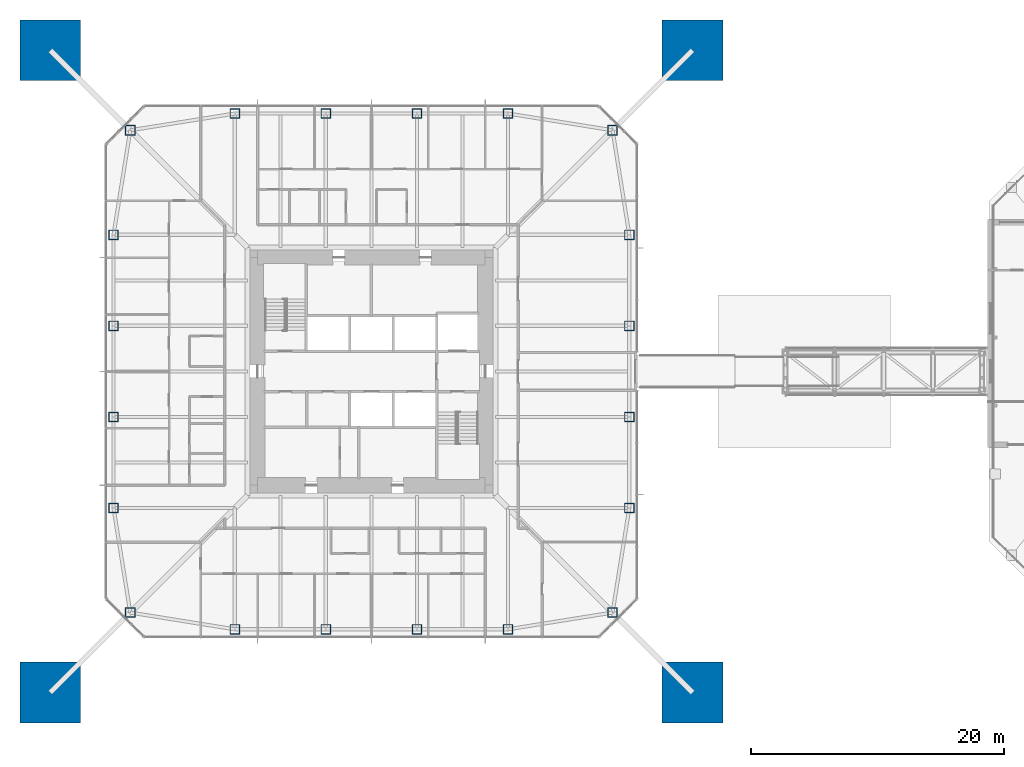
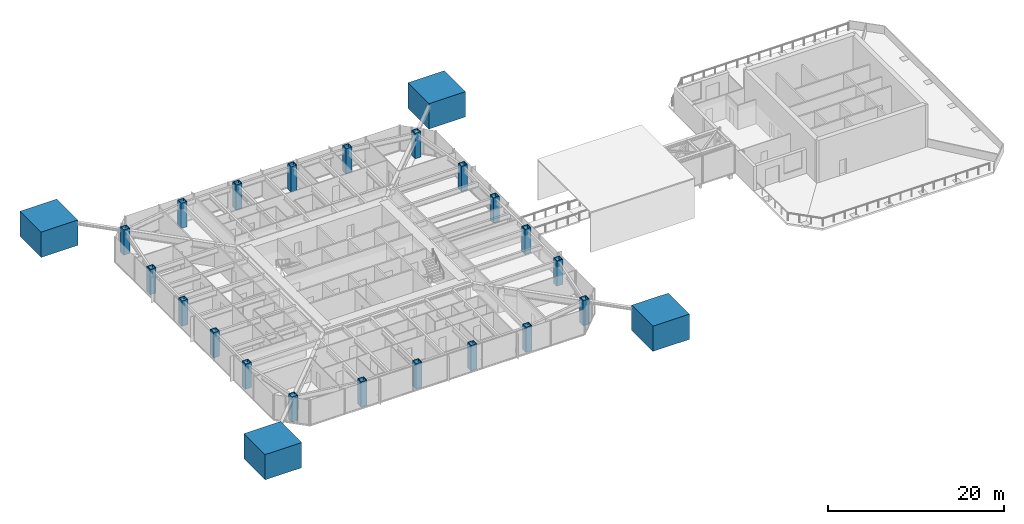
# One storey, part 1 of 23: 24 columns.
"""IFC4 building model written with IfcOpenShell, lengths in metres."""

from ifc_helpers import new_model, si_unit, direction, frame, origin, origin_2d, place, context, subcontext, project, spatial, rectangle, hollow_rectangle, i_section, extrude, material, material_profile, profile_set, type_object, element, save


model = new_model("IFC4")

# Units and contexts
model_context = context("Model", 3, precision=1e-05, world=origin(), true_north=direction((0.0, 1.0)))
body_context = subcontext(model_context, "Body", "Model", "MODEL_VIEW")
ifc_project = project(units=[si_unit("LENGTHUNIT", "METRE"), si_unit("AREAUNIT", "SQUARE_METRE"), si_unit("VOLUMEUNIT", "CUBIC_METRE"), si_unit("PLANEANGLEUNIT", "RADIAN"), si_unit("MASSUNIT", "GRAM", prefix="KILO")], contexts=[model_context])

# Site, building, storey
site_placement = place(None, origin())
site = spatial("IfcSite", under=ifc_project, at=site_placement, CompositionType="ELEMENT")
building_placement = place(site_placement, origin())
building = spatial("IfcBuilding", under=site, at=building_placement, Name="Iwan Alto Co-Living Towers", CompositionType="ELEMENT")
storey_placement = place(building_placement, frame((0.0, 0.0, 129.5)))
storey = spatial("IfcBuildingStorey", under=building, at=storey_placement, Name="L35", CompositionType="ELEMENT", Elevation=129.5)

# Columns
ifc_material_1 = material(Name="Concrete f'c 70 MPa", Category="concrete")
ifc_material_profile_1 = material_profile(ifc_material_1, rectangle(XDim=4.800048828125, YDim=4.800048828125, at=origin_2d()), Name="RC 4800X4800")
ifc_profile_set_1 = profile_set([ifc_material_profile_1], Name="Concrete f'c 70 MPa")
column_type_1 = type_object("IfcColumnType", Name="T1 MEGA COLUMN RC 4800X4800", PredefinedType="COLUMN", material=ifc_profile_set_1)
for number, where, z_axis, x_axis, name in (
    (1, (-25.39990234375, -25.39990234375, 0.0), (0.0, 0.0, 1.0), (1.0, 0.0, 0.0), "T1 mega column SW L35"),
    (2, (25.39990234375, -25.39990234375, 0.0), (0.0, 0.0, 1.0), (1.0, 0.0, 0.0), "T1 mega column SE L35"),
    (3, (25.39990234375, 25.39990234375, 0.0), (0.0, 0.0, 1.0), (1.0, 0.0, 0.0), "T1 mega column NE L35"),
    (4, (-25.39990234375, 25.39990234375, 0.0), (0.0, 0.0, 1.0), (1.0, 0.0, 0.0), "T1 mega column NW L35"),
):
    element("IfcColumn", number, at=place(storey_placement, frame(where, z_axis=z_axis, x_axis=x_axis)), inside=storey, type_object=column_type_1, Name=name, PredefinedType="COLUMN", context=body_context, shape_type="SweptSolid", body=[
        extrude(rectangle(XDim=4.800048828125, YDim=4.800048828125, at=origin_2d()), origin(), (0.0, 0.0, 1.0), 3.5),
        extrude(i_section(OverallWidth=0.4775390625, OverallDepth=0.599365234375, WebThickness=0.10009765625, FlangeThickness=0.139892578125, at=origin_2d()), origin(), (0.0, 0.0, 1.0), 3.5),
    ])
ifc_material_2 = material(Name="Steel ASTM A572 Gr 50", Category="steel")
ifc_material_profile_2 = material_profile(ifc_material_2, hollow_rectangle(XDim=0.800048828125, YDim=0.800048828125, WallThickness=0.070068359375, at=origin_2d()), Name="BOX 800X800X70")
ifc_profile_set_2 = profile_set([ifc_material_profile_2], Name="Steel ASTM A572 Gr 50")
column_type_2 = type_object("IfcColumnType", Name="T1 RING COLUMN BOX 800X800X70", PredefinedType="COLUMN", material=ifc_profile_set_2)
for number, where, z_axis, x_axis, name in (
    (5, (-19.07568359375, -19.07568359375, 0.0), (0.0, 0.0, 1.0), (1.0, 0.0, 0.0), "T1 ring column CSW L35"),
    (6, (-10.800048828125, -20.39990234375, 0.0), (0.0, 0.0, 1.0), (1.0, 0.0, 0.0), "T1 ring column S1 L35"),
    (7, (-3.60009765625, -20.39990234375, 0.0), (0.0, 0.0, 1.0), (1.0, 0.0, 0.0), "T1 ring column S2 L35"),
    (8, (3.60009765625, -20.39990234375, 0.0), (0.0, 0.0, 1.0), (1.0, 0.0, 0.0), "T1 ring column S3 L35"),
    (9, (10.800048828125, -20.39990234375, 0.0), (0.0, 0.0, 1.0), (1.0, 0.0, 0.0), "T1 ring column S4 L35"),
    (10, (19.07568359375, -19.07568359375, 0.0), (0.0, 0.0, 1.0), (1.0, 0.0, 0.0), "T1 ring column CSE L35"),
    (11, (20.39990234375, -10.800048828125, 0.0), (0.0, 0.0, 1.0), (1.0, 0.0, 0.0), "T1 ring column E1 L35"),
    (12, (20.39990234375, -3.60009765625, 0.0), (0.0, 0.0, 1.0), (1.0, 0.0, 0.0), "T1 ring column E2 L35"),
    (13, (20.39990234375, 3.60009765625, 0.0), (0.0, 0.0, 1.0), (1.0, 0.0, 0.0), "T1 ring column E3 L35"),
    (14, (20.39990234375, 10.800048828125, 0.0), (0.0, 0.0, 1.0), (1.0, 0.0, 0.0), "T1 ring column E4 L35"),
    (15, (19.07568359375, 19.07568359375, 0.0), (0.0, 0.0, 1.0), (1.0, 0.0, 0.0), "T1 ring column CNE L35"),
    (16, (10.800048828125, 20.39990234375, 0.0), (0.0, 0.0, 1.0), (1.0, 0.0, 0.0), "T1 ring column N1 L35"),
    (17, (3.60009765625, 20.39990234375, 0.0), (0.0, 0.0, 1.0), (1.0, 0.0, 0.0), "T1 ring column N2 L35"),
    (18, (-3.60009765625, 20.39990234375, 0.0), (0.0, 0.0, 1.0), (1.0, 0.0, 0.0), "T1 ring column N3 L35"),
    (19, (-10.800048828125, 20.39990234375, 0.0), (0.0, 0.0, 1.0), (1.0, 0.0, 0.0), "T1 ring column N4 L35"),
    (20, (-19.07568359375, 19.07568359375, 0.0), (0.0, 0.0, 1.0), (1.0, 0.0, 0.0), "T1 ring column CNW L35"),
    (21, (-20.39990234375, 10.800048828125, 0.0), (0.0, 0.0, 1.0), (1.0, 0.0, 0.0), "T1 ring column W1 L35"),
    (22, (-20.39990234375, 3.60009765625, 0.0), (0.0, 0.0, 1.0), (1.0, 0.0, 0.0), "T1 ring column W2 L35"),
    (23, (-20.39990234375, -3.60009765625, 0.0), (0.0, 0.0, 1.0), (1.0, 0.0, 0.0), "T1 ring column W3 L35"),
    (24, (-20.39990234375, -10.800048828125, 0.0), (0.0, 0.0, 1.0), (1.0, 0.0, 0.0), "T1 ring column W4 L35"),
):
    element("IfcColumn", number, at=place(storey_placement, frame(where, z_axis=z_axis, x_axis=x_axis)), inside=storey, type_object=column_type_2, Name=name, PredefinedType="COLUMN", context=body_context, shape_type="SweptSolid", body=[
        extrude(hollow_rectangle(XDim=0.800048828125, YDim=0.800048828125, WallThickness=0.070068359375, at=origin_2d()), origin(), (0.0, 0.0, 1.0), 3.5),
    ])

save(model, "model.ifc")
